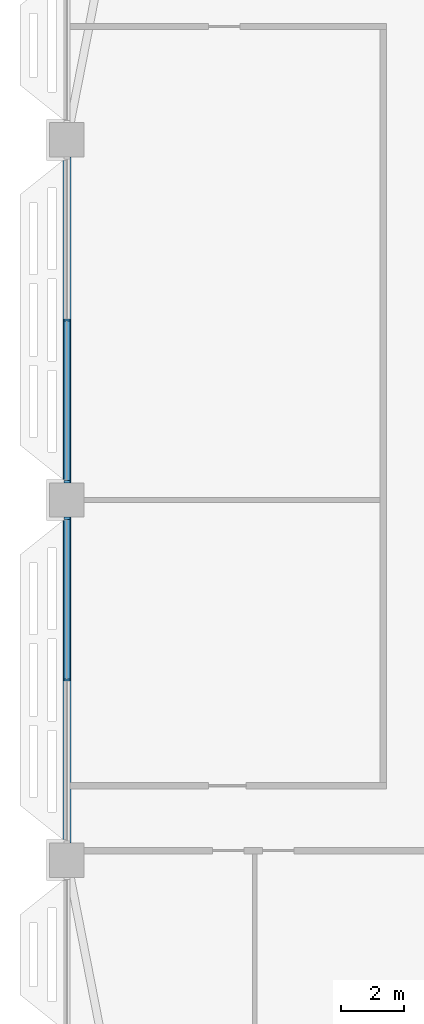
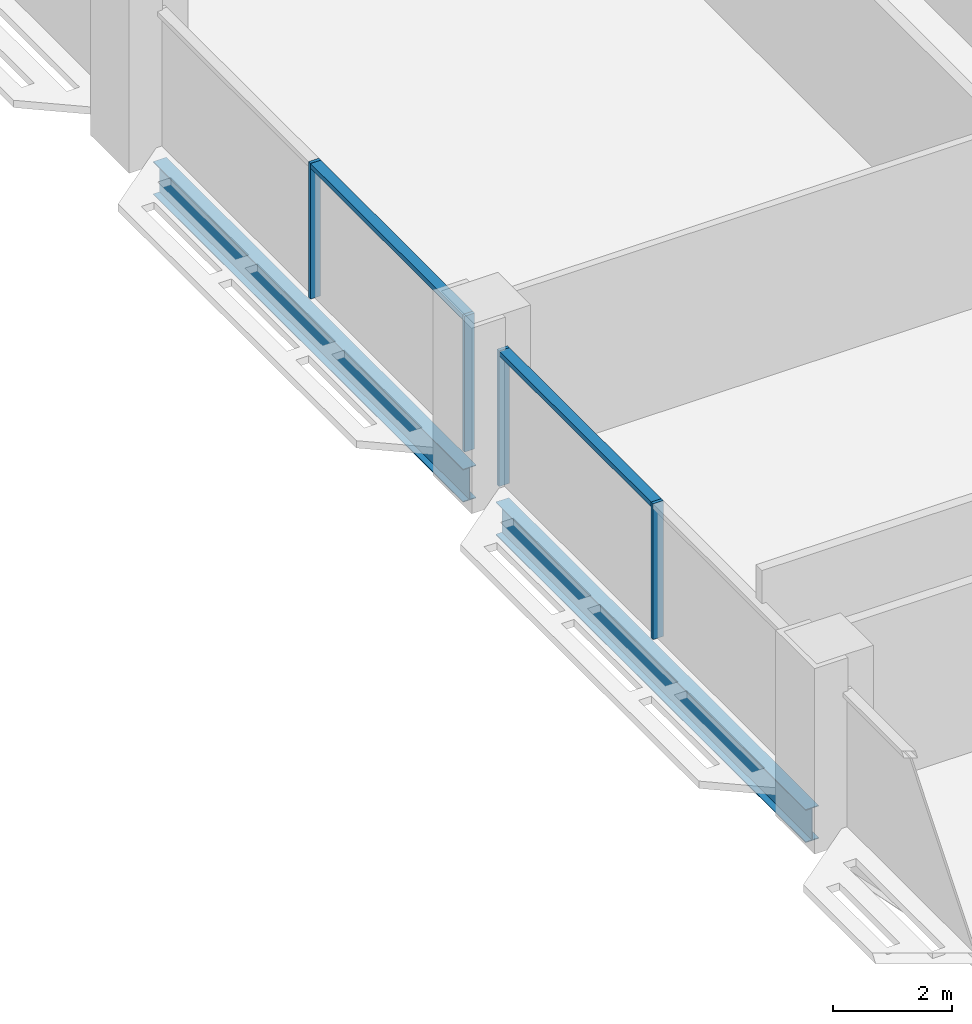
# One storey, part 5 of 30: 6 members, 2 beams, 2 elements without a shape of their own.
"""IFC4 building model written with IfcOpenShell, lengths in metres."""

from ifc_helpers import new_model, si_unit, direction, frame, origin, origin_2d, place, context, subcontext, project, spatial, rectangle, i_section, extrude, material, material_profile, profile_set, type_object, element, aggregate, save


model = new_model("IFC4")

# Units and contexts
model_context = context("Model", 3, precision=1e-05, world=origin(), true_north=direction((0.0, 1.0)))
body_context = subcontext(model_context, "Body", "Model", "MODEL_VIEW")
ifc_project = project(units=[si_unit("LENGTHUNIT", "METRE"), si_unit("AREAUNIT", "SQUARE_METRE"), si_unit("VOLUMEUNIT", "CUBIC_METRE"), si_unit("PLANEANGLEUNIT", "RADIAN"), si_unit("MASSUNIT", "GRAM", prefix="KILO")], contexts=[model_context])

# Site, building, storey
site_placement = place(None, origin())
site = spatial("IfcSite", under=ifc_project, at=site_placement, CompositionType="ELEMENT")
building_placement = place(site_placement, origin())
building = spatial("IfcBuilding", under=site, at=building_placement, Name="Mahtab Terrace Research Tower", CompositionType="ELEMENT")
storey_placement = place(building_placement, frame((0.0, 0.0, 205.300048828125)))
storey = spatial("IfcBuildingStorey", under=building, at=storey_placement, Name="L49", CompositionType="ELEMENT", Elevation=205.300048828125)

# Curtain wall, members
ifc_material_1 = material(Name="Laboratory ribbon curtain wall")
curtain_wall_type = type_object("IfcCurtainWallType", Name="Laboratory ribbon curtain wall", PredefinedType="NOTDEFINED", material=ifc_material_1)
curtain_wall_1_placement = place(storey_placement, origin())
curtain_wall_1 = element("IfcCurtainWall", 1, at=curtain_wall_1_placement, inside=storey, type_object=curtain_wall_type, Name="EN.L49.8.16", PredefinedType="NOTDEFINED")
ifc_material_2 = material(Name="Natural anodised aluminium", Category="aluminium")
ifc_material_profile_1 = material_profile(ifc_material_2, rectangle(XDim=0.199951171875, YDim=0.06494140625, at=origin_2d()), Name="MULLION 65x200")
ifc_profile_set_1 = profile_set([ifc_material_profile_1], Name="Natural anodised aluminium")
member_type_1 = type_object("IfcMemberType", Name="Laboratory ribbon curtain wall mullion", PredefinedType="MULLION", material=ifc_profile_set_1)
member_1_placement = place(storey_placement, frame((-42.0, 5.75, 0.0), z_axis=(0.0, 0.0, 1.0), x_axis=(1.0, 0.0, 0.0)))
member_1 = element("IfcMember", 2, at=member_1_placement, type_object=member_type_1, Name="CWL-6 mullion 2", PredefinedType="MULLION", context=body_context, shape_type="SweptSolid", body=[
    extrude(rectangle(XDim=0.199951171875, YDim=0.06494140625, at=origin_2d()), origin(), (0.0, 0.0, 1.0), 2.78173828125),
])
member_2_placement = place(storey_placement, frame((-42.0, 0.58251953125, 0.0), z_axis=(0.0, 0.0, 1.0), x_axis=(1.0, 0.0, 0.0)))
member_2 = element("IfcMember", 3, at=member_2_placement, type_object=member_type_1, Name="CWL-6 mullion 3", PredefinedType="MULLION", context=body_context, shape_type="SweptSolid", body=[
    extrude(rectangle(XDim=0.199951171875, YDim=0.06494140625, at=origin_2d()), origin(), (0.0, 0.0, 1.0), 2.78173828125),
])

curtain_wall_2_placement = place(storey_placement, origin())
curtain_wall_2 = element("IfcCurtainWall", 4, at=curtain_wall_2_placement, inside=storey, type_object=curtain_wall_type, Name="EN.L49.8.17", PredefinedType="NOTDEFINED")
member_3_placement = place(storey_placement, frame((-42.0, -0.58251953125, 0.0), z_axis=(0.0, 0.0, 1.0), x_axis=(1.0, 0.0, 0.0)))
member_3 = element("IfcMember", 5, at=member_3_placement, type_object=member_type_1, Name="CWL-6 mullion 1", PredefinedType="MULLION", context=body_context, shape_type="SweptSolid", body=[
    extrude(rectangle(XDim=0.199951171875, YDim=0.06494140625, at=origin_2d()), origin(), (0.0, 0.0, 1.0), 2.78173828125),
])
member_4_placement = place(storey_placement, frame((-42.0, -5.75, 0.0), z_axis=(0.0, 0.0, 1.0), x_axis=(1.0, 0.0, 0.0)))
member_4 = element("IfcMember", 6, at=member_4_placement, type_object=member_type_1, Name="CWL-6 mullion 2", PredefinedType="MULLION", context=body_context, shape_type="SweptSolid", body=[
    extrude(rectangle(XDim=0.199951171875, YDim=0.06494140625, at=origin_2d()), origin(), (0.0, 0.0, 1.0), 2.78173828125),
])

# Member
ifc_material_profile_2 = material_profile(ifc_material_2, rectangle(XDim=0.199951171875, YDim=0.10009765625, at=origin_2d()), Name="TRANSOM 100x200")
ifc_profile_set_2 = profile_set([ifc_material_profile_2], Name="Natural anodised aluminium")
member_type_2 = type_object("IfcMemberType", Name="Laboratory ribbon curtain wall transom", PredefinedType="USERDEFINED", material=ifc_profile_set_2)
member_5_placement = place(storey_placement, frame((-42.0, 5.717529296875, 2.731689453125), z_axis=(0.0, -1.0, 0.0), x_axis=(1.0, 0.0, 0.0)))
member_5 = element("IfcMember", 7, at=member_5_placement, type_object=member_type_2, Name="CWL-6 transom 2", ObjectType="TRANSOM", PredefinedType="USERDEFINED", context=body_context, shape_type="SweptSolid", body=[
    extrude(rectangle(XDim=0.199951171875, YDim=0.10009765625, at=origin_2d()), origin(), (0.0, 0.0, 1.0), 5.1025390625),
])

aggregate(curtain_wall_1, [member_1, member_2, member_5])

member_6_placement = place(storey_placement, frame((-42.0, -0.614990234375, 2.731689453125), z_axis=(0.0, -1.0, 0.0), x_axis=(1.0, 0.0, 0.0)))
member_6 = element("IfcMember", 8, at=member_6_placement, type_object=member_type_2, Name="CWL-6 transom 1", ObjectType="TRANSOM", PredefinedType="USERDEFINED", context=body_context, shape_type="SweptSolid", body=[
    extrude(rectangle(XDim=0.199951171875, YDim=0.10009765625, at=origin_2d()), origin(), (0.0, 0.0, 1.0), 5.1025390625),
])

aggregate(curtain_wall_2, [member_3, member_4, member_6])

# Beams
ifc_material_3 = material(Name="Steel ASTM A992 Gr 50", Category="steel")
ifc_material_profile_3 = material_profile(ifc_material_3, i_section(OverallWidth=0.25390625, OverallDepth=0.67822265625, WebThickness=0.01171875, FlangeThickness=0.016357421875, at=origin_2d()), Name="W27X84")
ifc_profile_set_3 = profile_set([ifc_material_profile_3], Name="Steel ASTM A992 Gr 50")
beam_type = type_object("IfcBeamType", Name="W27x84 beam BS2784", PredefinedType="BEAM", material=ifc_profile_set_3)
for number, where, z_axis, x_axis, name in (
    (9, (-42.0, 10.949951171875, -0.67919921875), (0.0, -1.0, 0.0), (1.0, 0.0, 0.0), "Spandrel beam L49 10"),
    (10, (-42.0, -0.550048828125, -0.67919921875), (0.0, -1.0, 0.0), (1.0, 0.0, 0.0), "Spandrel beam L49 11"),
):
    element("IfcBeam", number, at=place(storey_placement, frame(where, z_axis=z_axis, x_axis=x_axis)), inside=storey, type_object=beam_type, Name=name, PredefinedType="BEAM", context=body_context, shape_type="SweptSolid", body=[
        extrude(i_section(OverallWidth=0.25390625, OverallDepth=0.67822265625, WebThickness=0.01171875, FlangeThickness=0.016357421875, at=origin_2d()), origin(), (0.0, 0.0, 1.0), 10.39990234375),
    ])

save(model, "model.ifc")
